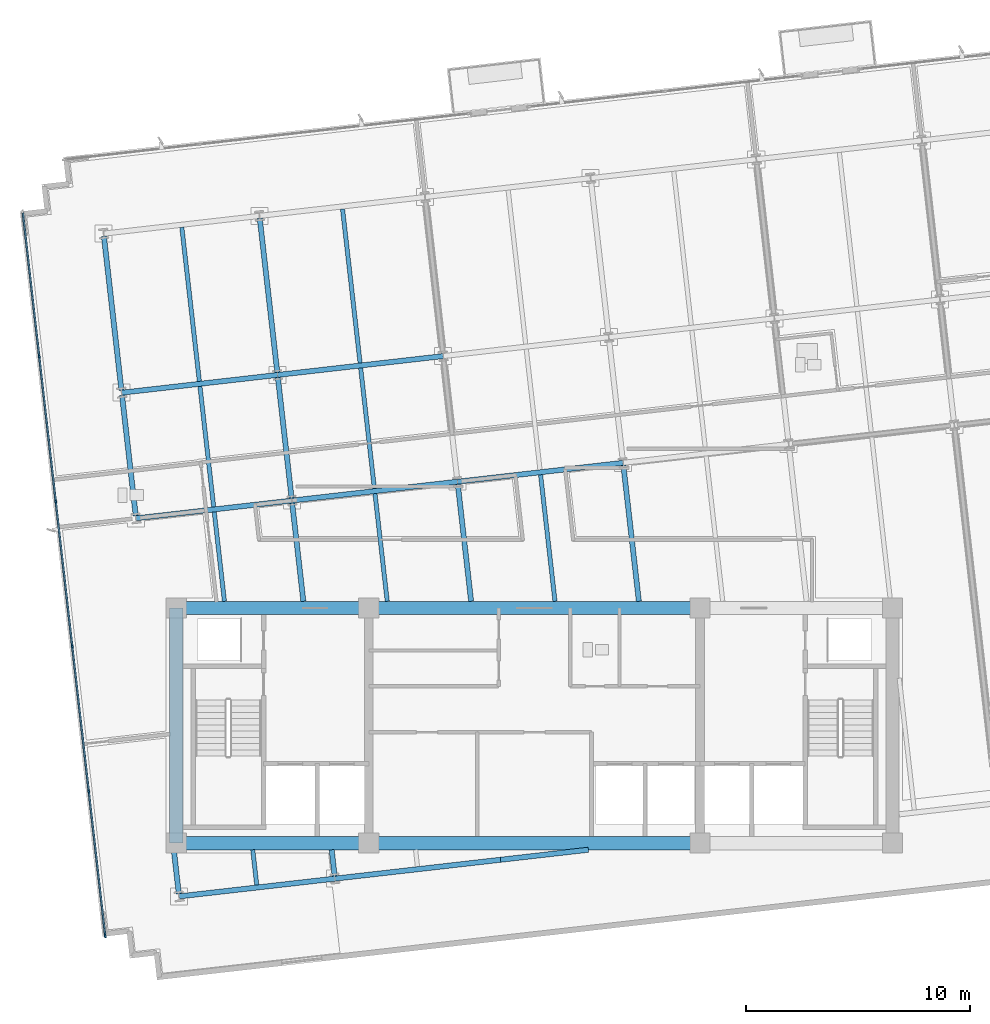
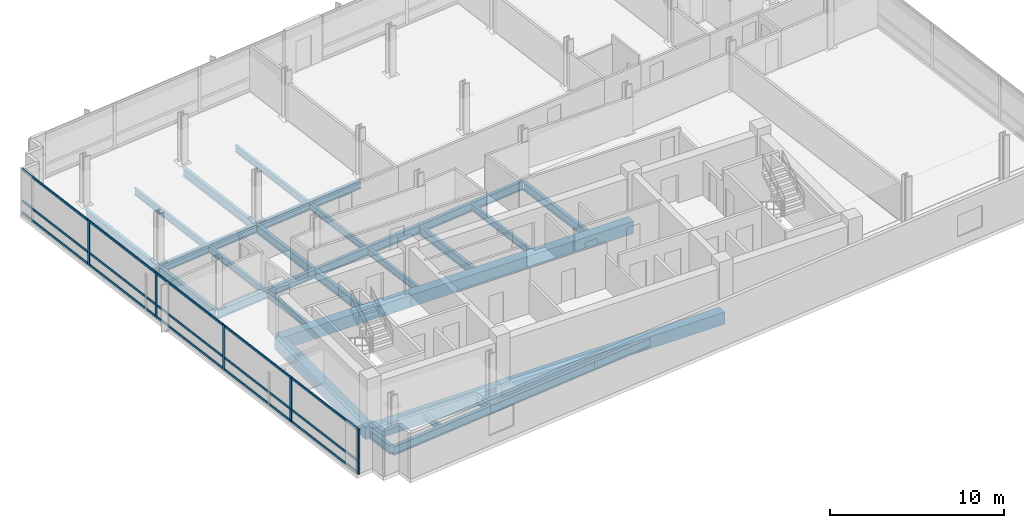
# One storey, part 2 of 16: 30 beams, 20 members, 1 element without a shape of its own.
"""IFC4 building model written with IfcOpenShell, lengths in metres."""

from ifc_helpers import new_model, si_unit, direction, frame, origin, origin_2d, place, context, subcontext, project, spatial, rectangle, i_section, extrude, material, material_profile, profile_set, type_object, element, aggregate, save


model = new_model("IFC4")

# Units and contexts
model_context = context("Model", 3, precision=1e-05, world=origin(), true_north=direction((0.0, 1.0)))
body_context = subcontext(model_context, "Body", "Model", "MODEL_VIEW")
ifc_project = project(units=[si_unit("LENGTHUNIT", "METRE"), si_unit("AREAUNIT", "SQUARE_METRE"), si_unit("VOLUMEUNIT", "CUBIC_METRE"), si_unit("PLANEANGLEUNIT", "RADIAN"), si_unit("MASSUNIT", "GRAM", prefix="KILO")], contexts=[model_context])

# Site, building, storey
site_placement = place(None, origin())
site = spatial("IfcSite", under=ifc_project, at=site_placement, CompositionType="ELEMENT")
building_placement = place(site_placement, origin())
building = spatial("IfcBuilding", under=site, at=building_placement, Name="Solmavex Isthmus Hotel", CompositionType="ELEMENT")
storey_placement = place(building_placement, frame((0.0, 0.0, 233.10009765625)))
storey = spatial("IfcBuildingStorey", under=building, at=storey_placement, Name="L63", CompositionType="ELEMENT", Elevation=233.10009765625)

# Beams
ifc_material_1 = material(Name="Steel ASTM A992 Grade 50", Category="steel")
ifc_material_profile_1 = material_profile(ifc_material_1, i_section(OverallWidth=0.1904296875, OverallDepth=0.456787109375, WebThickness=0.009033203125, FlangeThickness=0.014404296875, FilletRadius=0.0126953125, at=origin_2d()), Name="W18X50")
ifc_profile_set_1 = profile_set([ifc_material_profile_1], Name="Steel ASTM A992 Grade 50")
beam_type_1 = type_object("IfcBeamType", Name="BM-BJ-W18X50", PredefinedType="JOIST", material=ifc_profile_set_1)
beam_1_placement = place(storey_placement, frame((-12.404052734375, -14.872314453125, -0.488525390625), z_axis=(-0.113242002738, 0.993567435465, 0.0), x_axis=(-0.993567435465, -0.113242002738, 0.0)))
element("IfcBeam", 1, at=beam_1_placement, inside=storey, type_object=beam_type_1, Name="Secondary Floor Joist L63-J01", PredefinedType="JOIST", context=body_context, shape_type="SweptSolid", body=[
    extrude(i_section(OverallWidth=0.1904296875, OverallDepth=0.456787109375, WebThickness=0.009033203125, FlangeThickness=0.014404296875, FilletRadius=0.0126953125, at=origin_2d()), origin(), (0.0, 0.0, 1.0), 1.58251953125),
])
beam_2_placement = place(storey_placement, frame((-13.847900390625, -2.199951171875, -0.488525390625), z_axis=(-0.113179724577, 0.993574531651, 0.0), x_axis=(-0.993574531651, -0.113179724577, 0.0)))
element("IfcBeam", 2, at=beam_2_placement, inside=storey, type_object=beam_type_1, Name="Secondary Floor Joist L63-J02", PredefinedType="JOIST", context=body_context, shape_type="SweptSolid", body=[
    extrude(i_section(OverallWidth=0.1904296875, OverallDepth=0.456787109375, WebThickness=0.009033203125, FlangeThickness=0.014404296875, FilletRadius=0.0126953125, at=origin_2d()), origin(), (0.0, 0.0, 1.0), 4.0166015625),
])
beam_3_placement = place(storey_placement, frame((-14.328369140625, 2.01708984375, -0.488525390625), z_axis=(-0.113189626161, 0.993573403695, 0.0), x_axis=(-0.993573403695, -0.113189626161, 0.0)))
element("IfcBeam", 3, at=beam_3_placement, inside=storey, type_object=beam_type_1, Name="Secondary Floor Joist L63-J03", PredefinedType="JOIST", context=body_context, shape_type="SweptSolid", body=[
    extrude(i_section(OverallWidth=0.1904296875, OverallDepth=0.456787109375, WebThickness=0.009033203125, FlangeThickness=0.014404296875, FilletRadius=0.0126953125, at=origin_2d()), origin(), (0.0, 0.0, 1.0), 5.42041015625),
])
beam_4_placement = place(storey_placement, frame((-14.9677734375, 7.62890625, -0.488525390625), z_axis=(-0.113202453846, 0.993571942258, 0.0), x_axis=(-0.993571942258, -0.113202453846, 0.0)))
element("IfcBeam", 4, at=beam_4_placement, inside=storey, type_object=beam_type_1, Name="Secondary Floor Joist L63-J04", PredefinedType="JOIST", context=body_context, shape_type="SweptSolid", body=[
    extrude(i_section(OverallWidth=0.1904296875, OverallDepth=0.456787109375, WebThickness=0.009033203125, FlangeThickness=0.014404296875, FilletRadius=0.0126953125, at=origin_2d()), origin(), (0.0, 0.0, 1.0), 6.9228515625),
])
beam_5_placement = place(storey_placement, frame((-6.57421875, -2.199951171875, -0.488525390625), z_axis=(-0.113193768539, 0.993572931779, 0.0), x_axis=(-0.993572931779, -0.113193768539, 0.0)))
element("IfcBeam", 5, at=beam_5_placement, inside=storey, type_object=beam_type_1, Name="Secondary Floor Joist L63-J06", PredefinedType="JOIST", context=body_context, shape_type="SweptSolid", body=[
    extrude(i_section(OverallWidth=0.1904296875, OverallDepth=0.456787109375, WebThickness=0.009033203125, FlangeThickness=0.014404296875, FilletRadius=0.0126953125, at=origin_2d()), origin(), (0.0, 0.0, 1.0), 4.83984375),
])
beam_6_placement = place(storey_placement, frame((-7.14794921875, 2.835205078125, -0.488525390625), z_axis=(-0.113189626161, 0.993573403695, 0.0), x_axis=(-0.993573403695, -0.113189626161, 0.0)))
element("IfcBeam", 6, at=beam_6_placement, inside=storey, type_object=beam_type_1, Name="Secondary Floor Joist L63-J07", PredefinedType="JOIST", context=body_context, shape_type="SweptSolid", body=[
    extrude(i_section(OverallWidth=0.1904296875, OverallDepth=0.456787109375, WebThickness=0.009033203125, FlangeThickness=0.014404296875, FilletRadius=0.0126953125, at=origin_2d()), origin(), (0.0, 0.0, 1.0), 5.42041015625),
])
beam_7_placement = place(storey_placement, frame((-7.787109375, 8.447021484375, -0.488525390625), z_axis=(-0.113202453846, 0.993571942258, 0.0), x_axis=(-0.993571942258, -0.113202453846, 0.0)))
element("IfcBeam", 7, at=beam_7_placement, inside=storey, type_object=beam_type_1, Name="Secondary Floor Joist L63-J08", PredefinedType="JOIST", context=body_context, shape_type="SweptSolid", body=[
    extrude(i_section(OverallWidth=0.1904296875, OverallDepth=0.456787109375, WebThickness=0.009033203125, FlangeThickness=0.014404296875, FilletRadius=0.0126953125, at=origin_2d()), origin(), (0.0, 0.0, 1.0), 6.9228515625),
])
beam_8_placement = place(storey_placement, frame((0.920166015625, -2.199951171875, -0.488525390625), z_axis=(-0.113219765873, 0.993569969663, 0.0), x_axis=(-0.993569969663, -0.113219765873, 0.0)))
element("IfcBeam", 8, at=beam_8_placement, inside=storey, type_object=beam_type_1, Name="Secondary Floor Joist L63-J09", PredefinedType="JOIST", context=body_context, shape_type="SweptSolid", body=[
    extrude(i_section(OverallWidth=0.1904296875, OverallDepth=0.456787109375, WebThickness=0.009033203125, FlangeThickness=0.014404296875, FilletRadius=0.0126953125, at=origin_2d()), origin(), (0.0, 0.0, 1.0), 5.6884765625),
])
ifc_material_profile_2 = material_profile(ifc_material_1, i_section(OverallWidth=0.227783203125, OverallDepth=0.602783203125, WebThickness=0.010498046875, FlangeThickness=0.014892578125, FilletRadius=0.01513671875, at=origin_2d()), Name="W24X68")
ifc_profile_set_2 = profile_set([ifc_material_profile_2], Name="Steel ASTM A992 Grade 50")
beam_type_2 = type_object("IfcBeamType", Name="BM-BM-W24X68", PredefinedType="BEAM", material=ifc_profile_set_2)
beam_9_placement = place(storey_placement, frame((-17.796875, 1.50732421875, -0.5615234375), z_axis=(0.993569675103, 0.113222350774, 0.0), x_axis=(-0.113222350774, 0.993569675103, 0.0)))
element("IfcBeam", 9, at=beam_9_placement, inside=storey, type_object=beam_type_2, Name="Floor Girder L63-UG06", PredefinedType="BEAM", context=body_context, shape_type="SweptSolid", body=[
    extrude(i_section(OverallWidth=0.227783203125, OverallDepth=0.602783203125, WebThickness=0.010498046875, FlangeThickness=0.014892578125, FilletRadius=0.01513671875, at=origin_2d()), origin(), (0.0, 0.0, 1.0), 7.008056640625),
])
beam_10_placement = place(storey_placement, frame((-10.833984375, 2.30078125, -0.5615234375), z_axis=(0.993574034044, 0.113184092846, 0.0), x_axis=(-0.113184092846, 0.993574034044, 0.0)))
element("IfcBeam", 10, at=beam_10_placement, inside=storey, type_object=beam_type_2, Name="Floor Girder L63-UG07", PredefinedType="BEAM", context=body_context, shape_type="SweptSolid", body=[
    extrude(i_section(OverallWidth=0.227783203125, OverallDepth=0.602783203125, WebThickness=0.010498046875, FlangeThickness=0.014892578125, FilletRadius=0.01513671875, at=origin_2d()), origin(), (0.0, 0.0, 1.0), 7.446044921875),
])
beam_11_placement = place(storey_placement, frame((-3.435791015625, 3.1435546875, -0.5615234375), z_axis=(0.993569926006, 0.113220148984, 0.0), x_axis=(-0.113220148984, 0.993569926006, 0.0)))
element("IfcBeam", 11, at=beam_11_placement, inside=storey, type_object=beam_type_2, Name="Floor Girder L63-UG08", PredefinedType="BEAM", context=body_context, shape_type="SweptSolid", body=[
    extrude(i_section(OverallWidth=0.227783203125, OverallDepth=0.602783203125, WebThickness=0.010498046875, FlangeThickness=0.014892578125, FilletRadius=0.01513671875, at=origin_2d()), origin(), (0.0, 0.0, 1.0), 7.44580078125),
])
beam_12_placement = place(storey_placement, frame((-18.436279296875, 7.119140625, -0.5615234375), z_axis=(0.99357359356, 0.113187959519, 0.0), x_axis=(-0.113187959519, 0.99357359356, 0.0)))
element("IfcBeam", 12, at=beam_12_placement, inside=storey, type_object=beam_type_2, Name="Floor Girder L63-UG12", PredefinedType="BEAM", context=body_context, shape_type="SweptSolid", body=[
    extrude(i_section(OverallWidth=0.227783203125, OverallDepth=0.602783203125, WebThickness=0.010498046875, FlangeThickness=0.014892578125, FilletRadius=0.01513671875, at=origin_2d()), origin(), (0.0, 0.0, 1.0), 7.0078125),
])
beam_13_placement = place(storey_placement, frame((-11.473388671875, 7.912353515625, -0.5615234375), z_axis=(0.9935703463, 0.113216460607, 0.0), x_axis=(-0.113216460607, 0.9935703463, 0.0)))
element("IfcBeam", 13, at=beam_13_placement, inside=storey, type_object=beam_type_2, Name="Floor Girder L63-UG13", PredefinedType="BEAM", context=body_context, shape_type="SweptSolid", body=[
    extrude(i_section(OverallWidth=0.227783203125, OverallDepth=0.602783203125, WebThickness=0.010498046875, FlangeThickness=0.014892578125, FilletRadius=0.01513671875, at=origin_2d()), origin(), (0.0, 0.0, 1.0), 7.446044921875),
])
beam_14_placement = place(storey_placement, frame((-8.922607421875, -14.4755859375, -0.5615234375), z_axis=(-0.113284703976, 0.993562567655, 0.0), x_axis=(-0.993562567655, -0.113284703976, 0.0)))
element("IfcBeam", 14, at=beam_14_placement, inside=storey, type_object=beam_type_2, Name="Floor Beam L63-VG27", PredefinedType="BEAM", context=body_context, shape_type="SweptSolid", body=[
    extrude(i_section(OverallWidth=0.227783203125, OverallDepth=0.602783203125, WebThickness=0.010498046875, FlangeThickness=0.014892578125, FilletRadius=0.01513671875, at=origin_2d()), origin(), (0.0, 0.0, 1.0), 1.18310546875),
])
beam_15_placement = place(storey_placement, frame((-10.3212890625, -2.199951171875, -0.5615234375), z_axis=(-0.113173914695, 0.993575193447, 0.0), x_axis=(-0.993575193447, -0.113173914695, 0.0)))
element("IfcBeam", 15, at=beam_15_placement, inside=storey, type_object=beam_type_2, Name="Floor Beam L63-VG28", PredefinedType="BEAM", context=body_context, shape_type="SweptSolid", body=[
    extrude(i_section(OverallWidth=0.227783203125, OverallDepth=0.602783203125, WebThickness=0.010498046875, FlangeThickness=0.014892578125, FilletRadius=0.01513671875, at=origin_2d()), origin(), (0.0, 0.0, 1.0), 4.415771484375),
])
beam_16_placement = place(storey_placement, frame((-10.846923828125, 2.413818359375, -0.5615234375), z_axis=(-0.113189626161, 0.993573403695, 0.0), x_axis=(-0.993573403695, -0.113189626161, 0.0)))
element("IfcBeam", 16, at=beam_16_placement, inside=storey, type_object=beam_type_2, Name="Floor Beam L63-VG29", PredefinedType="BEAM", context=body_context, shape_type="SweptSolid", body=[
    extrude(i_section(OverallWidth=0.227783203125, OverallDepth=0.602783203125, WebThickness=0.010498046875, FlangeThickness=0.014892578125, FilletRadius=0.01513671875, at=origin_2d()), origin(), (0.0, 0.0, 1.0), 5.42041015625),
])
beam_17_placement = place(storey_placement, frame((-11.486328125, 8.025634765625, -0.5615234375), z_axis=(-0.113202453846, 0.993571942258, 0.0), x_axis=(-0.993571942258, -0.113202453846, 0.0)))
element("IfcBeam", 17, at=beam_17_placement, inside=storey, type_object=beam_type_2, Name="Floor Beam L63-VG30", PredefinedType="BEAM", context=body_context, shape_type="SweptSolid", body=[
    extrude(i_section(OverallWidth=0.227783203125, OverallDepth=0.602783203125, WebThickness=0.010498046875, FlangeThickness=0.014892578125, FilletRadius=0.01513671875, at=origin_2d()), origin(), (0.0, 0.0, 1.0), 6.9228515625),
])
beam_18_placement = place(storey_placement, frame((-2.8271484375, -2.199951171875, -0.5615234375), z_axis=(-0.113159423971, 0.993576843916, 0.0), x_axis=(-0.993576843916, -0.113159423971, 0.0)))
element("IfcBeam", 18, at=beam_18_placement, inside=storey, type_object=beam_type_2, Name="Floor Beam L63-VG31", PredefinedType="BEAM", context=body_context, shape_type="SweptSolid", body=[
    extrude(i_section(OverallWidth=0.227783203125, OverallDepth=0.602783203125, WebThickness=0.010498046875, FlangeThickness=0.014892578125, FilletRadius=0.01513671875, at=origin_2d()), origin(), (0.0, 0.0, 1.0), 5.26416015625),
])
beam_19_placement = place(storey_placement, frame((4.667236328125, -2.199951171875, -0.5615234375), z_axis=(-0.113232304752, 0.993568540746, 0.0), x_axis=(-0.993568540746, -0.113232304752, 0.0)))
element("IfcBeam", 19, at=beam_19_placement, inside=storey, type_object=beam_type_2, Name="Floor Beam L63-VG34", PredefinedType="BEAM", context=body_context, shape_type="SweptSolid", body=[
    extrude(i_section(OverallWidth=0.227783203125, OverallDepth=0.602783203125, WebThickness=0.010498046875, FlangeThickness=0.014892578125, FilletRadius=0.01513671875, at=origin_2d()), origin(), (0.0, 0.0, 1.0), 6.112548828125),
])
ifc_material_2 = material(Name="Concrete C50/60", Category="concrete")
ifc_material_profile_3 = material_profile(ifc_material_2, rectangle(XDim=0.60009765625, YDim=0.85009765625, at=origin_2d()), Name="RC600X850")
ifc_profile_set_3 = profile_set([ifc_material_profile_3], Name="Concrete C50/60")
beam_type_3 = type_object("IfcBeamType", Name="BM-CB-600X850", PredefinedType="BEAM", material=ifc_profile_set_3)
beam_20_placement = place(storey_placement, frame((-16.0, -13.0, -0.68505859375), z_axis=(1.0, 0.0, 0.0), x_axis=(0.0, 1.0, 0.0)))
element("IfcBeam", 20, at=beam_20_placement, inside=storey, type_object=beam_type_3, Name="Core Coupling Beam L63-CB1", PredefinedType="BEAM", context=body_context, shape_type="SweptSolid", body=[
    extrude(rectangle(XDim=0.60009765625, YDim=0.85009765625, at=origin_2d()), origin(), (0.0, 0.0, 1.0), 8.60009765625),
])
beam_21_placement = place(storey_placement, frame((-7.39990234375, -13.0, -0.68505859375), z_axis=(1.0, 0.0, 0.0), x_axis=(0.0, 1.0, 0.0)))
element("IfcBeam", 21, at=beam_21_placement, inside=storey, type_object=beam_type_3, Name="Core Coupling Beam L63-CB2", PredefinedType="BEAM", context=body_context, shape_type="SweptSolid", body=[
    extrude(rectangle(XDim=0.60009765625, YDim=0.85009765625, at=origin_2d()), origin(), (0.0, 0.0, 1.0), 14.7998046875),
])
beam_22_placement = place(storey_placement, frame((-16.0, -2.5, -0.68505859375), z_axis=(1.0, 0.0, 0.0), x_axis=(0.0, 1.0, 0.0)))
element("IfcBeam", 22, at=beam_22_placement, inside=storey, type_object=beam_type_3, Name="Core Coupling Beam L63-CB4", PredefinedType="BEAM", context=body_context, shape_type="SweptSolid", body=[
    extrude(rectangle(XDim=0.60009765625, YDim=0.85009765625, at=origin_2d()), origin(), (0.0, 0.0, 1.0), 8.60009765625),
])
beam_23_placement = place(storey_placement, frame((-7.39990234375, -2.5, -0.68505859375), z_axis=(1.0, 0.0, 0.0), x_axis=(0.0, 1.0, 0.0)))
element("IfcBeam", 23, at=beam_23_placement, inside=storey, type_object=beam_type_3, Name="Core Coupling Beam L63-CB5", PredefinedType="BEAM", context=body_context, shape_type="SweptSolid", body=[
    extrude(rectangle(XDim=0.60009765625, YDim=0.85009765625, at=origin_2d()), origin(), (0.0, 0.0, 1.0), 14.7998046875),
])
beam_24_placement = place(storey_placement, frame((-16.0, -13.0, -0.68505859375), z_axis=(0.0, 1.0, 0.0), x_axis=(-1.0, 0.0, 0.0)))
element("IfcBeam", 24, at=beam_24_placement, inside=storey, type_object=beam_type_3, Name="Core Coupling Beam L63-CB7", PredefinedType="BEAM", context=body_context, shape_type="SweptSolid", body=[
    extrude(rectangle(XDim=0.60009765625, YDim=0.85009765625, at=origin_2d()), origin(), (0.0, 0.0, 1.0), 10.5),
])
ifc_material_profile_4 = material_profile(ifc_material_1, i_section(OverallWidth=0.230224609375, OverallDepth=0.617431640625, WebThickness=0.01318359375, FlangeThickness=0.022216796875, FilletRadius=0.01513671875, at=origin_2d()), Name="W24X94")
ifc_profile_set_4 = profile_set([ifc_material_profile_4], Name="Steel ASTM A992 Grade 50")
beam_type_4 = type_object("IfcBeamType", Name="BM-SP-W24X94", PredefinedType="SPANDREL", material=ifc_profile_set_4)
beam_25_placement = place(storey_placement, frame((-15.87255859375, -15.38330078125, -0.56884765625), z_axis=(0.993574039862, 0.113184041777, 0.0), x_axis=(-0.113184041777, 0.993574039862, 0.0)))
element("IfcBeam", 25, at=beam_25_placement, inside=storey, type_object=beam_type_4, Name="Floor Girder L63-UG01", PredefinedType="SPANDREL", context=body_context, shape_type="SweptSolid", body=[
    extrude(i_section(OverallWidth=0.230224609375, OverallDepth=0.617431640625, WebThickness=0.01318359375, FlangeThickness=0.022216796875, FilletRadius=0.01513671875, at=origin_2d()), origin(), (0.0, 0.0, 1.0), 7.008056640625),
])
beam_26_placement = place(storey_placement, frame((-8.909423828125, -14.590087890625, -0.56884765625), z_axis=(0.993569926006, 0.113220148984, 0.0), x_axis=(-0.113220148984, 0.993569926006, 0.0)))
element("IfcBeam", 26, at=beam_26_placement, inside=storey, type_object=beam_type_4, Name="Floor Girder L63-UG02", PredefinedType="SPANDREL", context=body_context, shape_type="SweptSolid", body=[
    extrude(i_section(OverallWidth=0.230224609375, OverallDepth=0.617431640625, WebThickness=0.01318359375, FlangeThickness=0.022216796875, FilletRadius=0.01513671875, at=origin_2d()), origin(), (0.0, 0.0, 1.0), 7.44580078125),
])
beam_27_placement = place(storey_placement, frame((-1.511474609375, -13.7470703125, -0.56884765625), z_axis=(0.993575434773, 0.113171796023, 0.0), x_axis=(-0.113171796023, 0.993575434773, 0.0)))
element("IfcBeam", 27, at=beam_27_placement, inside=storey, type_object=beam_type_4, Name="Floor Girder L63-UG03", PredefinedType="SPANDREL", context=body_context, shape_type="SweptSolid", body=[
    extrude(i_section(OverallWidth=0.230224609375, OverallDepth=0.617431640625, WebThickness=0.01318359375, FlangeThickness=0.022216796875, FilletRadius=0.01513671875, at=origin_2d()), origin(), (0.0, 0.0, 1.0), 3.949951171875),
])
beam_28_placement = place(storey_placement, frame((-15.885498046875, -15.268798828125, -0.56884765625), z_axis=(-0.113230368519, 0.993568761408, 0.0), x_axis=(-0.993568761408, -0.113230368519, 0.0)))
element("IfcBeam", 28, at=beam_28_placement, inside=storey, type_object=beam_type_4, Name="Floor Beam L63-VG24", PredefinedType="SPANDREL", context=body_context, shape_type="SweptSolid", body=[
    extrude(i_section(OverallWidth=0.230224609375, OverallDepth=0.617431640625, WebThickness=0.01318359375, FlangeThickness=0.022216796875, FilletRadius=0.01513671875, at=origin_2d()), origin(), (0.0, 0.0, 1.0), 1.9814453125),
])
beam_29_placement = place(storey_placement, frame((-17.809814453125, 1.62060546875, -0.56884765625), z_axis=(-0.113194691868, 0.993572826587, 0.0), x_axis=(-0.993572826587, -0.113194691868, 0.0)))
element("IfcBeam", 29, at=beam_29_placement, inside=storey, type_object=beam_type_4, Name="Floor Beam L63-VG25", PredefinedType="SPANDREL", context=body_context, shape_type="SweptSolid", body=[
    extrude(i_section(OverallWidth=0.230224609375, OverallDepth=0.617431640625, WebThickness=0.01318359375, FlangeThickness=0.022216796875, FilletRadius=0.01513671875, at=origin_2d()), origin(), (0.0, 0.0, 1.0), 5.420166015625),
])
beam_30_placement = place(storey_placement, frame((-18.44921875, 7.232177734375, -0.56884765625), z_axis=(-0.113202453846, 0.993571942258, 0.0), x_axis=(-0.993571942258, -0.113202453846, 0.0)))
element("IfcBeam", 30, at=beam_30_placement, inside=storey, type_object=beam_type_4, Name="Floor Beam L63-VG26", PredefinedType="SPANDREL", context=body_context, shape_type="SweptSolid", body=[
    extrude(i_section(OverallWidth=0.230224609375, OverallDepth=0.617431640625, WebThickness=0.01318359375, FlangeThickness=0.022216796875, FilletRadius=0.01513671875, at=origin_2d()), origin(), (0.0, 0.0, 1.0), 6.9228515625),
])

# Curtain wall, members
ifc_material_3 = material(Name="Aluminium alloy 6063-T6", Category="aluminium")
curtain_wall_type = type_object("IfcCurtainWallType", Name="CW-SYS-04", PredefinedType="NOTDEFINED", material=ifc_material_3)
curtain_wall_placement = place(storey_placement, origin())
curtain_wall = element("IfcCurtainWall", 31, at=curtain_wall_placement, inside=storey, type_object=curtain_wall_type, Name="Stick Curtain Wall CWL-L63-W1", PredefinedType="NOTDEFINED")
ifc_material_profile_5 = material_profile(ifc_material_3, rectangle(XDim=0.074951171875, YDim=0.199951171875, at=origin_2d()), Name="CWM-75X200")
ifc_profile_set_5 = profile_set([ifc_material_profile_5], Name="Aluminium alloy 6063-T6")
member_type_1 = type_object("IfcMemberType", Name="CW-SYS-04-MUL", PredefinedType="MULLION", material=ifc_profile_set_5)
member_1_placement = place(storey_placement, frame((-19.17578125, -17.131103515625, 0.0), z_axis=(0.0, 0.0, 1.0), x_axis=(-0.993571836648, -0.11320338078, 0.0)))
member_1 = element("IfcMember", 32, at=member_1_placement, type_object=member_type_1, Name="CW-04 mullion 1", PredefinedType="MULLION", context=body_context, shape_type="SweptSolid", body=[
    extrude(rectangle(XDim=0.074951171875, YDim=0.199951171875, at=origin_2d()), origin(), (0.0, 0.0, 1.0), 3.18994140625),
])
member_2_placement = place(storey_placement, frame((-19.90966796875, -10.690185546875, 0.0), z_axis=(0.0, 0.0, 1.0), x_axis=(-0.993571836648, -0.11320338078, 0.0)))
member_2 = element("IfcMember", 33, at=member_2_placement, type_object=member_type_1, Name="CW-04 mullion 2", PredefinedType="MULLION", context=body_context, shape_type="SweptSolid", body=[
    extrude(rectangle(XDim=0.074951171875, YDim=0.199951171875, at=origin_2d()), origin(), (0.0, 0.0, 1.0), 3.18994140625),
])
member_3_placement = place(storey_placement, frame((-20.647705078125, -4.212158203125, 0.0), z_axis=(0.0, 0.0, 1.0), x_axis=(-0.993571836648, -0.11320338078, 0.0)))
member_3 = element("IfcMember", 34, at=member_3_placement, type_object=member_type_1, Name="CW-04 mullion 3", PredefinedType="MULLION", context=body_context, shape_type="SweptSolid", body=[
    extrude(rectangle(XDim=0.074951171875, YDim=0.199951171875, at=origin_2d()), origin(), (0.0, 0.0, 1.0), 3.18994140625),
])
member_4_placement = place(storey_placement, frame((-21.385986328125, 2.265869140625, 0.0), z_axis=(0.0, 0.0, 1.0), x_axis=(-0.993571836648, -0.11320338078, 0.0)))
member_4 = element("IfcMember", 35, at=member_4_placement, type_object=member_type_1, Name="CW-04 mullion 4", PredefinedType="MULLION", context=body_context, shape_type="SweptSolid", body=[
    extrude(rectangle(XDim=0.074951171875, YDim=0.199951171875, at=origin_2d()), origin(), (0.0, 0.0, 1.0), 3.18994140625),
])
member_5_placement = place(storey_placement, frame((-22.1240234375, 8.744140625, 0.0), z_axis=(0.0, 0.0, 1.0), x_axis=(-0.993571836648, -0.11320338078, 0.0)))
member_5 = element("IfcMember", 36, at=member_5_placement, type_object=member_type_1, Name="CW-04 mullion 5", PredefinedType="MULLION", context=body_context, shape_type="SweptSolid", body=[
    extrude(rectangle(XDim=0.074951171875, YDim=0.199951171875, at=origin_2d()), origin(), (0.0, 0.0, 1.0), 3.18994140625),
])
ifc_material_profile_6 = material_profile(ifc_material_3, rectangle(XDim=0.074951171875, YDim=0.14990234375, at=origin_2d()), Name="CWT-75X150")
ifc_profile_set_6 = profile_set([ifc_material_profile_6], Name="Aluminium alloy 6063-T6")
member_type_2 = type_object("IfcMemberType", Name="CW-SYS-04-TRN", PredefinedType="USERDEFINED", material=ifc_profile_set_6)
member_6_placement = place(storey_placement, frame((-19.18017578125, -17.09375, 0.074951171875), z_axis=(-0.113203780919, 0.993571791058, 0.0), x_axis=(-0.993571791058, -0.113203780919, 0.0)))
member_6 = element("IfcMember", 37, at=member_6_placement, type_object=member_type_2, Name="CW-04 transom 1.1", ObjectType="TRANSOM", PredefinedType="USERDEFINED", context=body_context, shape_type="SweptSolid", body=[
    extrude(rectangle(XDim=0.074951171875, YDim=0.14990234375, at=origin_2d()), origin(), (0.0, 0.0, 1.0), 6.407470703125),
])
member_7_placement = place(storey_placement, frame((-19.18017578125, -17.09375, 0.89990234375), z_axis=(-0.113203780919, 0.993571791058, 0.0), x_axis=(-0.993571791058, -0.113203780919, 0.0)))
member_7 = element("IfcMember", 38, at=member_7_placement, type_object=member_type_2, Name="CW-04 transom 1.2", ObjectType="TRANSOM", PredefinedType="USERDEFINED", context=body_context, shape_type="SweptSolid", body=[
    extrude(rectangle(XDim=0.074951171875, YDim=0.14990234375, at=origin_2d()), origin(), (0.0, 0.0, 1.0), 6.407470703125),
])
member_8_placement = place(storey_placement, frame((-19.18017578125, -17.09375, 3.114990234375), z_axis=(-0.113203780919, 0.993571791058, 0.0), x_axis=(-0.993571791058, -0.113203780919, 0.0)))
member_8 = element("IfcMember", 39, at=member_8_placement, type_object=member_type_2, Name="CW-04 transom 1.3", ObjectType="TRANSOM", PredefinedType="USERDEFINED", context=body_context, shape_type="SweptSolid", body=[
    extrude(rectangle(XDim=0.074951171875, YDim=0.14990234375, at=origin_2d()), origin(), (0.0, 0.0, 1.0), 6.407470703125),
])
member_9_placement = place(storey_placement, frame((-19.9140625, -10.653076171875, 0.074951171875), z_axis=(-0.113187617296, 0.993573632546, 0.0), x_axis=(-0.993573632546, -0.113187617296, 0.0)))
member_9 = element("IfcMember", 40, at=member_9_placement, type_object=member_type_2, Name="CW-04 transom 2.1", ObjectType="TRANSOM", PredefinedType="USERDEFINED", context=body_context, shape_type="SweptSolid", body=[
    extrude(rectangle(XDim=0.074951171875, YDim=0.14990234375, at=origin_2d()), origin(), (0.0, 0.0, 1.0), 6.445068359375),
])
member_10_placement = place(storey_placement, frame((-19.9140625, -10.653076171875, 0.89990234375), z_axis=(-0.113187617296, 0.993573632546, 0.0), x_axis=(-0.993573632546, -0.113187617296, 0.0)))
member_10 = element("IfcMember", 41, at=member_10_placement, type_object=member_type_2, Name="CW-04 transom 2.2", ObjectType="TRANSOM", PredefinedType="USERDEFINED", context=body_context, shape_type="SweptSolid", body=[
    extrude(rectangle(XDim=0.074951171875, YDim=0.14990234375, at=origin_2d()), origin(), (0.0, 0.0, 1.0), 6.445068359375),
])
member_11_placement = place(storey_placement, frame((-19.9140625, -10.653076171875, 3.114990234375), z_axis=(-0.113187617296, 0.993573632546, 0.0), x_axis=(-0.993573632546, -0.113187617296, 0.0)))
member_11 = element("IfcMember", 42, at=member_11_placement, type_object=member_type_2, Name="CW-04 transom 2.3", ObjectType="TRANSOM", PredefinedType="USERDEFINED", context=body_context, shape_type="SweptSolid", body=[
    extrude(rectangle(XDim=0.074951171875, YDim=0.14990234375, at=origin_2d()), origin(), (0.0, 0.0, 1.0), 6.445068359375),
])
member_12_placement = place(storey_placement, frame((-20.652099609375, -4.1748046875, 0.074951171875), z_axis=(-0.113187617296, 0.993573632546, 0.0), x_axis=(-0.993573632546, -0.113187617296, 0.0)))
member_12 = element("IfcMember", 43, at=member_12_placement, type_object=member_type_2, Name="CW-04 transom 3.1", ObjectType="TRANSOM", PredefinedType="USERDEFINED", context=body_context, shape_type="SweptSolid", body=[
    extrude(rectangle(XDim=0.074951171875, YDim=0.14990234375, at=origin_2d()), origin(), (0.0, 0.0, 1.0), 6.445068359375),
])
member_13_placement = place(storey_placement, frame((-20.652099609375, -4.1748046875, 0.89990234375), z_axis=(-0.113187617296, 0.993573632546, 0.0), x_axis=(-0.993573632546, -0.113187617296, 0.0)))
member_13 = element("IfcMember", 44, at=member_13_placement, type_object=member_type_2, Name="CW-04 transom 3.2", ObjectType="TRANSOM", PredefinedType="USERDEFINED", context=body_context, shape_type="SweptSolid", body=[
    extrude(rectangle(XDim=0.074951171875, YDim=0.14990234375, at=origin_2d()), origin(), (0.0, 0.0, 1.0), 6.445068359375),
])
member_14_placement = place(storey_placement, frame((-20.652099609375, -4.1748046875, 3.114990234375), z_axis=(-0.113187617296, 0.993573632546, 0.0), x_axis=(-0.993573632546, -0.113187617296, 0.0)))
member_14 = element("IfcMember", 45, at=member_14_placement, type_object=member_type_2, Name="CW-04 transom 3.3", ObjectType="TRANSOM", PredefinedType="USERDEFINED", context=body_context, shape_type="SweptSolid", body=[
    extrude(rectangle(XDim=0.074951171875, YDim=0.14990234375, at=origin_2d()), origin(), (0.0, 0.0, 1.0), 6.445068359375),
])
member_15_placement = place(storey_placement, frame((-21.39013671875, 2.30322265625, 0.074951171875), z_axis=(-0.113187617296, 0.993573632546, 0.0), x_axis=(-0.993573632546, -0.113187617296, 0.0)))
member_15 = element("IfcMember", 46, at=member_15_placement, type_object=member_type_2, Name="CW-04 transom 4.1", ObjectType="TRANSOM", PredefinedType="USERDEFINED", context=body_context, shape_type="SweptSolid", body=[
    extrude(rectangle(XDim=0.074951171875, YDim=0.14990234375, at=origin_2d()), origin(), (0.0, 0.0, 1.0), 6.445068359375),
])
member_16_placement = place(storey_placement, frame((-21.39013671875, 2.30322265625, 0.89990234375), z_axis=(-0.113187617296, 0.993573632546, 0.0), x_axis=(-0.993573632546, -0.113187617296, 0.0)))
member_16 = element("IfcMember", 47, at=member_16_placement, type_object=member_type_2, Name="CW-04 transom 4.2", ObjectType="TRANSOM", PredefinedType="USERDEFINED", context=body_context, shape_type="SweptSolid", body=[
    extrude(rectangle(XDim=0.074951171875, YDim=0.14990234375, at=origin_2d()), origin(), (0.0, 0.0, 1.0), 6.445068359375),
])
member_17_placement = place(storey_placement, frame((-21.39013671875, 2.30322265625, 3.114990234375), z_axis=(-0.113187617296, 0.993573632546, 0.0), x_axis=(-0.993573632546, -0.113187617296, 0.0)))
member_17 = element("IfcMember", 48, at=member_17_placement, type_object=member_type_2, Name="CW-04 transom 4.3", ObjectType="TRANSOM", PredefinedType="USERDEFINED", context=body_context, shape_type="SweptSolid", body=[
    extrude(rectangle(XDim=0.074951171875, YDim=0.14990234375, at=origin_2d()), origin(), (0.0, 0.0, 1.0), 6.445068359375),
])
member_18_placement = place(storey_placement, frame((-22.128173828125, 8.78125, 0.074951171875), z_axis=(-0.113199495412, 0.993572279323, 0.0), x_axis=(-0.993572279323, -0.113199495412, 0.0)))
member_18 = element("IfcMember", 49, at=member_18_placement, type_object=member_type_2, Name="CW-04 transom 5.1", ObjectType="TRANSOM", PredefinedType="USERDEFINED", context=body_context, shape_type="SweptSolid", body=[
    extrude(rectangle(XDim=0.074951171875, YDim=0.14990234375, at=origin_2d()), origin(), (0.0, 0.0, 1.0), 6.40771484375),
])
member_19_placement = place(storey_placement, frame((-22.128173828125, 8.78125, 0.89990234375), z_axis=(-0.113199495412, 0.993572279323, 0.0), x_axis=(-0.993572279323, -0.113199495412, 0.0)))
member_19 = element("IfcMember", 50, at=member_19_placement, type_object=member_type_2, Name="CW-04 transom 5.2", ObjectType="TRANSOM", PredefinedType="USERDEFINED", context=body_context, shape_type="SweptSolid", body=[
    extrude(rectangle(XDim=0.074951171875, YDim=0.14990234375, at=origin_2d()), origin(), (0.0, 0.0, 1.0), 6.40771484375),
])
member_20_placement = place(storey_placement, frame((-22.128173828125, 8.78125, 3.114990234375), z_axis=(-0.113199495412, 0.993572279323, 0.0), x_axis=(-0.993572279323, -0.113199495412, 0.0)))
member_20 = element("IfcMember", 51, at=member_20_placement, type_object=member_type_2, Name="CW-04 transom 5.3", ObjectType="TRANSOM", PredefinedType="USERDEFINED", context=body_context, shape_type="SweptSolid", body=[
    extrude(rectangle(XDim=0.074951171875, YDim=0.14990234375, at=origin_2d()), origin(), (0.0, 0.0, 1.0), 6.40771484375),
])
aggregate(curtain_wall, [member_1, member_2, member_3, member_4, member_5, member_6, member_7, member_8, member_9, member_10, member_11, member_12, member_13, member_14, member_15, member_16, member_17, member_18, member_19, member_20])

save(model, "model.ifc")
